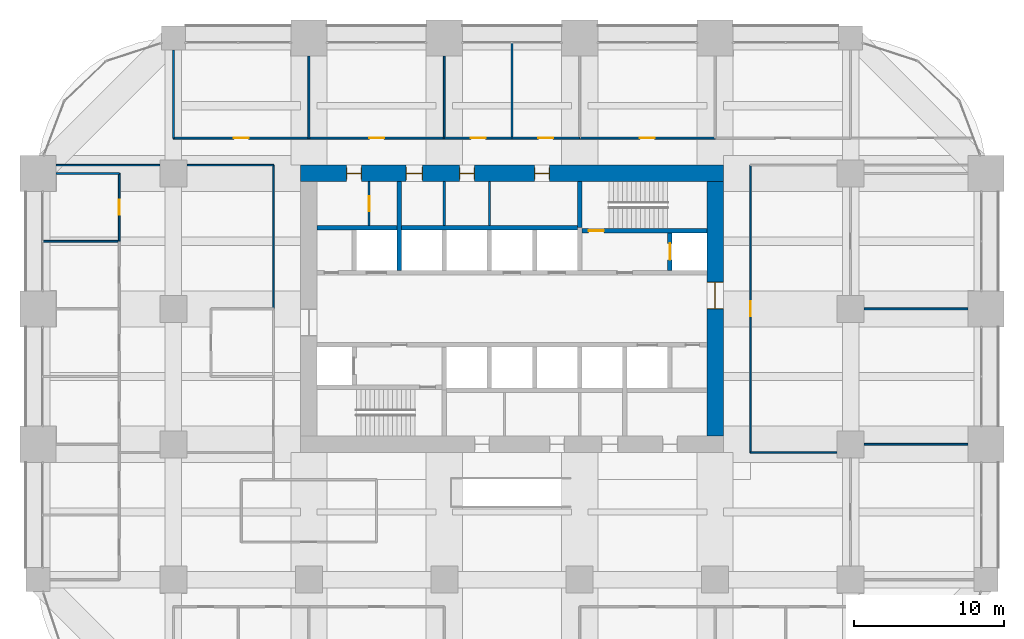
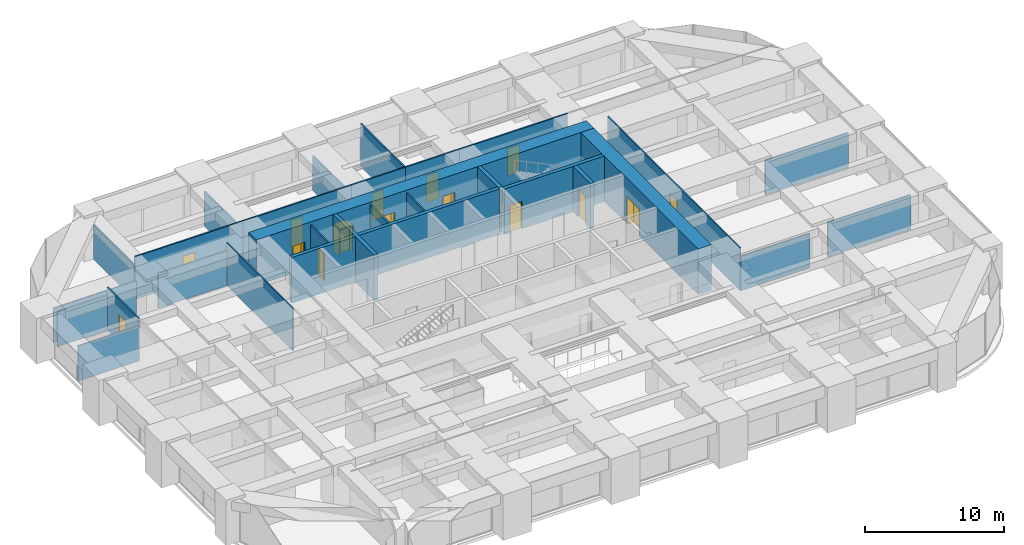
# One storey, part 40 of 43: 29 walls, 15 doors, 15 openings.
"""IFC4 building model written with IfcOpenShell, lengths in metres."""

from ifc_helpers import new_model, si_unit, direction, frame, frame_2d, origin, place, context, subcontext, project, spatial, rectangle, extrude, material, layer, layer_set, type_object, element, fill, save


model = new_model("IFC4")

# Units and contexts
model_context = context("Model", 3, precision=1e-05, world=origin(), true_north=direction((0.0, 1.0)))
body_context = subcontext(model_context, "Body", "Model", "MODEL_VIEW")
ifc_project = project(units=[si_unit("LENGTHUNIT", "METRE"), si_unit("AREAUNIT", "SQUARE_METRE"), si_unit("VOLUMEUNIT", "CUBIC_METRE"), si_unit("PLANEANGLEUNIT", "RADIAN"), si_unit("MASSUNIT", "GRAM", prefix="KILO")], contexts=[model_context])

# Site, building, storey
site_placement = place(None, origin())
site = spatial("IfcSite", under=ifc_project, at=site_placement, CompositionType="ELEMENT")
building_placement = place(site_placement, origin())
building = spatial("IfcBuilding", under=site, at=building_placement, Name="Zorevar Civic Tower", CompositionType="ELEMENT")
storey_placement = place(building_placement, frame((0.0, 0.0, 141.0)))
storey = spatial("IfcBuildingStorey", under=building, at=storey_placement, Name="L34", CompositionType="ELEMENT", Elevation=141.0)

# Wall, openings, doors
ifc_material_1 = material(Name="Concrete C50/60", Category="concrete")
ifc_layer_1 = layer(ifc_material_1, 1.10009765625)
ifc_layer_set_1 = layer_set([ifc_layer_1], Name="Core wall 1100")
wall_type_1 = type_object("IfcWallType", Name="Core wall 1100", PredefinedType="SHEAR", material=ifc_layer_set_1)
wall_1_placement = place(storey_placement, frame((45.550048828125, 36.0, 0.0), z_axis=(0.0, 0.0, 1.0), x_axis=(-1.0, 0.0, 0.0)))
wall_1 = element("IfcWall", 1, at=wall_1_placement, inside=storey, type_object=wall_type_1, Name="Core wall N L34", PredefinedType="SHEAR", context=body_context, shape_type="SweptSolid", body=[
    extrude(rectangle(XDim=28.10009765625, YDim=1.10009765625, at=frame_2d((14.050048828125, 0.0))), origin(), (0.0, 0.0, 1.0), 4.0),
])
opening_1_placement = place(wall_1_placement, frame((11.550048828125, 0.0, 0.0)))
opening_1 = element("IfcOpeningElement", 2, at=opening_1_placement, cuts=wall_1, Name="Opening L34.07", PredefinedType="OPENING", context=body_context, shape_type="SweptSolid", body=[
    extrude(rectangle(XDim=1.0, YDim=2.39990234375, at=frame_2d((0.5, 1.199951171875))), frame((0.0, 0.56005859375, 0.0), z_axis=(0.0, -1.0, 0.0), x_axis=(1.0, 0.0, 0.0)), (0.0, 0.0, 1.0), 1.1201171875),
])
opening_2_placement = place(wall_1_placement, frame((16.550048828125, 0.0, 0.0)))
opening_2 = element("IfcOpeningElement", 3, at=opening_2_placement, cuts=wall_1, Name="Opening L34.08", PredefinedType="OPENING", context=body_context, shape_type="SweptSolid", body=[
    extrude(rectangle(XDim=1.0, YDim=2.39990234375, at=frame_2d((0.5, 1.199951171875))), frame((0.0, 0.56005859375, 0.0), z_axis=(0.0, -1.0, 0.0), x_axis=(1.0, 0.0, 0.0)), (0.0, 0.0, 1.0), 1.1201171875),
])
opening_3_placement = place(wall_1_placement, frame((20.0, 0.0, 0.0)))
opening_3 = element("IfcOpeningElement", 4, at=opening_3_placement, cuts=wall_1, Name="Opening L34.09", PredefinedType="OPENING", context=body_context, shape_type="SweptSolid", body=[
    extrude(rectangle(XDim=1.10009765625, YDim=2.39990234375, at=frame_2d((0.550048828125, 1.199951171875))), frame((0.0, 0.56005859375, 0.0), z_axis=(0.0, -1.0, 0.0), x_axis=(1.0, 0.0, 0.0)), (0.0, 0.0, 1.0), 1.1201171875),
])
opening_4_placement = place(wall_1_placement, frame((24.050048828125, 0.0, 0.0)))
opening_4 = element("IfcOpeningElement", 5, at=opening_4_placement, cuts=wall_1, Name="Opening L34.10", PredefinedType="OPENING", context=body_context, shape_type="SweptSolid", body=[
    extrude(rectangle(XDim=1.0, YDim=2.39990234375, at=frame_2d((0.5, 1.199951171875))), frame((0.0, 0.56005859375, 0.0), z_axis=(0.0, -1.0, 0.0), x_axis=(1.0, 0.0, 0.0)), (0.0, 0.0, 1.0), 1.1201171875),
])
ifc_material_2 = material(Name="Timber door set", Category="wood")
door_type_1 = type_object("IfcDoorType", Name="Door D1 1000x2400", OperationType="SINGLE_SWING_LEFT", PredefinedType="DOOR", material=ifc_material_2)
door_1_placement = place(opening_1_placement, origin())
door_1 = element("IfcDoor", 6, at=door_1_placement, inside=storey, type_object=door_type_1, Name="Door L34 06", OperationType="SINGLE_SWING_LEFT", OverallHeight=2.39990234375, OverallWidth=1.0, PredefinedType="DOOR", context=body_context, shape_type="SweptSolid", body=[
    extrude(rectangle(XDim=1.0, YDim=2.39990234375, at=frame_2d((0.5, 1.199951171875))), frame((0.0, 0.02490234375, 0.0), z_axis=(0.0, -1.0, 0.0), x_axis=(1.0, 0.0, 0.0)), (0.0, 0.0, 1.0), 0.050048828125),
    extrude(rectangle(XDim=0.04, YDim=2.39990234375, at=frame_2d((0.02001953125, 1.199951171875))), frame((0.0, 0.39990234375, 0.0), z_axis=(0.0, -1.0, 0.0), x_axis=(1.0, 0.0, 0.0)), (0.0, 0.0, 1.0), 0.800048828125),
    extrude(rectangle(XDim=0.04, YDim=2.39990234375, at=frame_2d((0.97998046875, 1.199951171875))), frame((0.0, 0.39990234375, 0.0), z_axis=(0.0, -1.0, 0.0), x_axis=(1.0, 0.0, 0.0)), (0.0, 0.0, 1.0), 0.800048828125),
    extrude(rectangle(XDim=1.0, YDim=0.04, at=frame_2d((0.5, 2.3798828125))), frame((0.0, 0.39990234375, 0.0), z_axis=(0.0, -1.0, 0.0), x_axis=(1.0, 0.0, 0.0)), (0.0, 0.0, 1.0), 0.800048828125),
])
fill(opening_1, door_1)
door_2_placement = place(opening_2_placement, origin())
door_2 = element("IfcDoor", 7, at=door_2_placement, inside=storey, type_object=door_type_1, Name="Door L34 07", OperationType="SINGLE_SWING_RIGHT", OverallHeight=2.39990234375, OverallWidth=1.0, PredefinedType="DOOR", context=body_context, shape_type="SweptSolid", body=[
    extrude(rectangle(XDim=1.0, YDim=2.39990234375, at=frame_2d((0.5, 1.199951171875))), frame((0.0, 0.02490234375, 0.0), z_axis=(0.0, -1.0, 0.0), x_axis=(1.0, 0.0, 0.0)), (0.0, 0.0, 1.0), 0.050048828125),
    extrude(rectangle(XDim=0.04, YDim=2.39990234375, at=frame_2d((0.02001953125, 1.199951171875))), frame((0.0, 0.39990234375, 0.0), z_axis=(0.0, -1.0, 0.0), x_axis=(1.0, 0.0, 0.0)), (0.0, 0.0, 1.0), 0.800048828125),
    extrude(rectangle(XDim=0.04, YDim=2.39990234375, at=frame_2d((0.97998046875, 1.199951171875))), frame((0.0, 0.39990234375, 0.0), z_axis=(0.0, -1.0, 0.0), x_axis=(1.0, 0.0, 0.0)), (0.0, 0.0, 1.0), 0.800048828125),
    extrude(rectangle(XDim=1.0, YDim=0.04, at=frame_2d((0.5, 2.3798828125))), frame((0.0, 0.39990234375, 0.0), z_axis=(0.0, -1.0, 0.0), x_axis=(1.0, 0.0, 0.0)), (0.0, 0.0, 1.0), 0.800048828125),
])
fill(opening_2, door_2)
door_3_placement = place(opening_4_placement, origin())
door_3 = element("IfcDoor", 8, at=door_3_placement, inside=storey, type_object=door_type_1, Name="Door L34 09", OperationType="SINGLE_SWING_RIGHT", OverallHeight=2.39990234375, OverallWidth=1.0, PredefinedType="DOOR", context=body_context, shape_type="SweptSolid", body=[
    extrude(rectangle(XDim=1.0, YDim=2.39990234375, at=frame_2d((0.5, 1.199951171875))), frame((0.0, 0.02490234375, 0.0), z_axis=(0.0, -1.0, 0.0), x_axis=(1.0, 0.0, 0.0)), (0.0, 0.0, 1.0), 0.050048828125),
    extrude(rectangle(XDim=0.04, YDim=2.39990234375, at=frame_2d((0.02001953125, 1.199951171875))), frame((0.0, 0.39990234375, 0.0), z_axis=(0.0, -1.0, 0.0), x_axis=(1.0, 0.0, 0.0)), (0.0, 0.0, 1.0), 0.800048828125),
    extrude(rectangle(XDim=0.04, YDim=2.39990234375, at=frame_2d((0.97998046875, 1.199951171875))), frame((0.0, 0.39990234375, 0.0), z_axis=(0.0, -1.0, 0.0), x_axis=(1.0, 0.0, 0.0)), (0.0, 0.0, 1.0), 0.800048828125),
    extrude(rectangle(XDim=1.0, YDim=0.04, at=frame_2d((0.5, 2.3798828125))), frame((0.0, 0.39990234375, 0.0), z_axis=(0.0, -1.0, 0.0), x_axis=(1.0, 0.0, 0.0)), (0.0, 0.0, 1.0), 0.800048828125),
])
fill(opening_4, door_3)
ifc_material_3 = material(Name="Timber door set", Category="wood")
door_type_2 = type_object("IfcDoorType", Name="Door D5 1100x2400", OperationType="SINGLE_SWING_LEFT", PredefinedType="DOOR", material=ifc_material_3)
door_4_placement = place(opening_3_placement, origin())
door_4 = element("IfcDoor", 9, at=door_4_placement, inside=storey, type_object=door_type_2, Name="Door L34 08", OperationType="SINGLE_SWING_RIGHT", OverallHeight=2.39990234375, OverallWidth=1.10009765625, PredefinedType="DOOR", context=body_context, shape_type="SweptSolid", body=[
    extrude(rectangle(XDim=1.10009765625, YDim=2.39990234375, at=frame_2d((0.550048828125, 1.199951171875))), frame((0.0, 0.02490234375, 0.0), z_axis=(0.0, -1.0, 0.0), x_axis=(1.0, 0.0, 0.0)), (0.0, 0.0, 1.0), 0.050048828125),
    extrude(rectangle(XDim=0.04, YDim=2.39990234375, at=frame_2d((0.02001953125, 1.199951171875))), frame((0.0, 0.43994140625, 0.0), z_axis=(0.0, -1.0, 0.0), x_axis=(1.0, 0.0, 0.0)), (0.0, 0.0, 1.0), 0.880126953125),
    extrude(rectangle(XDim=0.04, YDim=2.39990234375, at=frame_2d((1.080078125, 1.199951171875))), frame((0.0, 0.43994140625, 0.0), z_axis=(0.0, -1.0, 0.0), x_axis=(1.0, 0.0, 0.0)), (0.0, 0.0, 1.0), 0.880126953125),
    extrude(rectangle(XDim=1.10009765625, YDim=0.04, at=frame_2d((0.550048828125, 2.3798828125))), frame((0.0, 0.43994140625, 0.0), z_axis=(0.0, -1.0, 0.0), x_axis=(1.0, 0.0, 0.0)), (0.0, 0.0, 1.0), 0.880126953125),
])
fill(opening_3, door_4)

# Wall, opening, door
wall_2_placement = place(storey_placement, frame((45.0, 18.550048828125, 0.0), z_axis=(0.0, 0.0, 1.0), x_axis=(0.0, 1.0, 0.0)))
wall_2 = element("IfcWall", 10, at=wall_2_placement, inside=storey, type_object=wall_type_1, Name="Core wall E L34", PredefinedType="SHEAR", context=body_context, shape_type="SweptSolid", body=[
    extrude(rectangle(XDim=16.89990234375, YDim=1.10009765625, at=frame_2d((8.449951171875, 0.0))), origin(), (0.0, 0.0, 1.0), 4.0),
])
opening_5_placement = place(wall_2_placement, frame((8.449951171875, 0.0, 0.0)))
opening_5 = element("IfcOpeningElement", 11, at=opening_5_placement, cuts=wall_2, Name="Opening L34.02", PredefinedType="OPENING", context=body_context, shape_type="SweptSolid", body=[
    extrude(rectangle(XDim=1.800048828125, YDim=2.39990234375, at=frame_2d((0.89990234375, 1.199951171875))), frame((0.0, 0.56005859375, 0.0), z_axis=(0.0, -1.0, 0.0), x_axis=(1.0, 0.0, 0.0)), (0.0, 0.0, 1.0), 1.1201171875),
])
ifc_material_4 = material(Name="Steel door set", Category="steel")
door_type_3 = type_object("IfcDoorType", Name="Fire door FD2 1800x2400", OperationType="DOUBLE_DOOR_DOUBLE_SWING", PredefinedType="DOOR", material=ifc_material_4)
door_5_placement = place(opening_5_placement, origin())
door_5 = element("IfcDoor", 12, at=door_5_placement, inside=storey, type_object=door_type_3, Name="Door L34 01", OperationType="DOUBLE_DOOR_DOUBLE_SWING", OverallHeight=2.39990234375, OverallWidth=1.800048828125, PredefinedType="DOOR", context=body_context, shape_type="SweptSolid", body=[
    extrude(rectangle(XDim=1.800048828125, YDim=2.39990234375, at=frame_2d((0.89990234375, 1.199951171875))), frame((0.0, 0.030029296875, 0.0), z_axis=(0.0, -1.0, 0.0), x_axis=(1.0, 0.0, 0.0)), (0.0, 0.0, 1.0), 0.06005859375),
    extrude(rectangle(XDim=0.04, YDim=2.39990234375, at=frame_2d((0.02001953125, 1.199951171875))), frame((0.0, 0.5498046875, 0.0), z_axis=(0.0, -1.0, 0.0), x_axis=(1.0, 0.0, 0.0)), (0.0, 0.0, 1.0), 1.099609375),
    extrude(rectangle(XDim=0.04, YDim=2.39990234375, at=frame_2d((1.780029296875, 1.199951171875))), frame((0.0, 0.5498046875, 0.0), z_axis=(0.0, -1.0, 0.0), x_axis=(1.0, 0.0, 0.0)), (0.0, 0.0, 1.0), 1.099609375),
    extrude(rectangle(XDim=1.800048828125, YDim=0.04, at=frame_2d((0.89990234375, 2.3798828125))), frame((0.0, 0.5498046875, 0.0), z_axis=(0.0, -1.0, 0.0), x_axis=(1.0, 0.0, 0.0)), (0.0, 0.0, 1.0), 1.099609375),
])
fill(opening_5, door_5)

# Walls
ifc_material_5 = material(Name="Laminated glass in black aluminium frame", Category="aluminium")
ifc_layer_2 = layer(ifc_material_5, 0.10009765625)
ifc_layer_set_2 = layer_set([ifc_layer_2], Name="Glazed partition 100")
wall_type_2 = type_object("IfcWallType", Name="Glazed partition 100", PredefinedType="PARTITIONING", material=ifc_layer_set_2)
wall_3_placement = place(storey_placement, frame((47.35009765625, 17.449951171875, 0.0), z_axis=(0.0, 0.0, 1.0), x_axis=(1.0, 0.0, 0.0)))
element("IfcWall", 13, at=wall_3_placement, inside=storey, type_object=wall_type_2, Name="Glazed partition 100 L34", PredefinedType="PARTITIONING", context=body_context, shape_type="SweptSolid", body=[
    extrude(rectangle(XDim=5.75, YDim=0.10009765625, at=frame_2d((2.875, 0.0))), origin(), (0.0, 0.0, 1.0), 3.050048828125),
])
wall_4_placement = place(storey_placement, frame((1.199951171875, 36.550048828125, 0.0), z_axis=(0.0, 0.0, 1.0), x_axis=(1.0, 0.0, 0.0)))
element("IfcWall", 14, at=wall_4_placement, inside=storey, type_object=wall_type_2, Name="Glazed partition 100 L34", PredefinedType="PARTITIONING", context=body_context, shape_type="SweptSolid", body=[
    extrude(rectangle(XDim=6.900146484375, YDim=0.10009765625, at=frame_2d((3.4501953125, 0.0))), origin(), (0.0, 0.0, 1.0), 3.050048828125),
])
wall_5_placement = place(storey_placement, frame((9.89990234375, 36.550048828125, 0.0), z_axis=(0.0, 0.0, 1.0), x_axis=(1.0, 0.0, 0.0)))
element("IfcWall", 15, at=wall_5_placement, inside=storey, type_object=wall_type_2, Name="Glazed partition 100 L34", PredefinedType="PARTITIONING", context=body_context, shape_type="SweptSolid", body=[
    extrude(rectangle(XDim=5.75, YDim=0.10009765625, at=frame_2d((2.875, 0.0))), origin(), (0.0, 0.0, 1.0), 3.050048828125),
])
wall_6_placement = place(storey_placement, frame((15.64990234375, 27.0, 0.0), z_axis=(0.0, 0.0, 1.0), x_axis=(0.0, 1.0, 0.0)))
element("IfcWall", 16, at=wall_6_placement, inside=storey, type_object=wall_type_2, Name="Glazed partition 100 L34", PredefinedType="PARTITIONING", context=body_context, shape_type="SweptSolid", body=[
    extrude(rectangle(XDim=9.550048828125, YDim=0.10009765625, at=frame_2d((4.77490234375, 0.0))), origin(), (0.0, 0.0, 1.0), 3.75),
])

# Wall, opening, door
wall_7_placement = place(storey_placement, frame((47.35009765625, 17.449951171875, 0.0), z_axis=(0.0, 0.0, 1.0), x_axis=(0.0, 1.0, 0.0)))
wall_7 = element("IfcWall", 17, at=wall_7_placement, inside=storey, type_object=wall_type_2, Name="Glazed partition 100 L34", PredefinedType="PARTITIONING", context=body_context, shape_type="SweptSolid", body=[
    extrude(rectangle(XDim=19.10009765625, YDim=0.10009765625, at=frame_2d((9.550048828125, 0.0))), origin(), (0.0, 0.0, 1.0), 3.75),
])
opening_6_placement = place(wall_7_placement, frame((9.050048828125, 0.0, 0.0)))
opening_6 = element("IfcOpeningElement", 18, at=opening_6_placement, cuts=wall_7, Name="Opening L34.39", PredefinedType="OPENING", context=body_context, shape_type="SweptSolid", body=[
    extrude(rectangle(XDim=1.0, YDim=2.39990234375, at=frame_2d((0.5, 1.199951171875))), frame((0.0, 0.06005859375, 0.0), z_axis=(0.0, -1.0, 0.0), x_axis=(1.0, 0.0, 0.0)), (0.0, 0.0, 1.0), 0.1201171875),
])
ifc_material_6 = material(Name="Timber door set", Category="wood")
door_type_4 = type_object("IfcDoorType", Name="Glazed door GD1 1000x2400", OperationType="SINGLE_SWING_LEFT", PredefinedType="DOOR", material=ifc_material_6)
door_6_placement = place(opening_6_placement, origin())
door_6 = element("IfcDoor", 19, at=door_6_placement, inside=storey, type_object=door_type_4, Name="Door L34 D1", OperationType="SINGLE_SWING_RIGHT", OverallHeight=2.39990234375, OverallWidth=1.0, PredefinedType="DOOR", context=body_context, shape_type="SweptSolid", body=[
    extrude(rectangle(XDim=1.0, YDim=2.39990234375, at=frame_2d((0.5, 1.199951171875))), frame((0.0, 0.02001953125, 0.0), z_axis=(0.0, -1.0, 0.0), x_axis=(1.0, 0.0, 0.0)), (0.0, 0.0, 1.0), 0.0400390625),
])
fill(opening_6, door_6)

ifc_material_7 = material(Name="Concrete C40/50", Category="concrete")
ifc_layer_3 = layer(ifc_material_7, 0.300048828125)
ifc_layer_set_3 = layer_set([ifc_layer_3], Name="Inner core wall 300")
wall_type_3 = type_object("IfcWallType", Name="Inner core wall 300", PredefinedType="SHEAR", material=ifc_layer_set_3)
wall_8_placement = place(storey_placement, frame((36.14990234375, 32.199951171875, 0.0), z_axis=(0.0, 0.0, 1.0), x_axis=(1.0, 0.0, 0.0)))
wall_8 = element("IfcWall", 20, at=wall_8_placement, inside=storey, type_object=wall_type_3, Name="Inner core wall N00 L34", PredefinedType="SHEAR", context=body_context, shape_type="SweptSolid", body=[
    extrude(rectangle(XDim=8.300048828125, YDim=0.300048828125, at=frame_2d((4.14990234375, 0.0))), origin(), (0.0, 0.0, 1.0), 4.0),
])
opening_7_placement = place(wall_8_placement, frame((0.449951171875, 0.0, 0.0)))
opening_7 = element("IfcOpeningElement", 21, at=opening_7_placement, cuts=wall_8, Name="Opening L34.12", PredefinedType="OPENING", context=body_context, shape_type="SweptSolid", body=[
    extrude(rectangle(XDim=1.0, YDim=2.39990234375, at=frame_2d((0.5, 1.199951171875))), frame((0.0, 0.159912109375, 0.0), z_axis=(0.0, -1.0, 0.0), x_axis=(1.0, 0.0, 0.0)), (0.0, 0.0, 1.0), 0.320068359375),
])
ifc_material_8 = material(Name="Steel door set", Category="steel")
door_type_5 = type_object("IfcDoorType", Name="Fire door FD1 1000x2400", OperationType="SINGLE_SWING_LEFT", PredefinedType="DOOR", material=ifc_material_8)
door_7_placement = place(opening_7_placement, origin())
door_7 = element("IfcDoor", 22, at=door_7_placement, inside=storey, type_object=door_type_5, Name="Door L34 11", OperationType="SINGLE_SWING_RIGHT", OverallHeight=2.39990234375, OverallWidth=1.0, PredefinedType="DOOR", context=body_context, shape_type="SweptSolid", body=[
    extrude(rectangle(XDim=1.0, YDim=2.39990234375, at=frame_2d((0.5, 1.199951171875))), frame((0.0, 0.030029296875, 0.0), z_axis=(0.0, -1.0, 0.0), x_axis=(1.0, 0.0, 0.0)), (0.0, 0.0, 1.0), 0.06005859375),
])
fill(opening_7, door_7)

# Wall
wall_9_placement = place(storey_placement, frame((36.0, 32.39990234375, 0.0), z_axis=(0.0, 0.0, 1.0), x_axis=(0.0, 1.0, 0.0)))
element("IfcWall", 23, at=wall_9_placement, inside=storey, type_object=wall_type_3, Name="Inner core wall N01 L34", PredefinedType="SHEAR", context=body_context, shape_type="SweptSolid", body=[
    extrude(rectangle(XDim=3.050048828125, YDim=0.300048828125, at=frame_2d((1.52490234375, 0.0))), origin(), (0.0, 0.0, 1.0), 4.0),
])

# Wall, opening, door
wall_10_placement = place(storey_placement, frame((42.0, 29.550048828125, 0.0), z_axis=(0.0, 0.0, 1.0), x_axis=(0.0, 1.0, 0.0)))
wall_10 = element("IfcWall", 24, at=wall_10_placement, inside=storey, type_object=wall_type_3, Name="Inner core wall N02 L34", PredefinedType="SHEAR", context=body_context, shape_type="SweptSolid", body=[
    extrude(rectangle(XDim=2.5, YDim=0.300048828125, at=frame_2d((1.25, 0.0))), origin(), (0.0, 0.0, 1.0), 4.0),
])
opening_8_placement = place(wall_10_placement, frame((0.699951171875, 0.0, 0.0)))
opening_8 = element("IfcOpeningElement", 25, at=opening_8_placement, cuts=wall_10, Name="Opening L34.FL2", PredefinedType="OPENING", context=body_context, shape_type="SweptSolid", body=[
    extrude(rectangle(XDim=1.10009765625, YDim=2.39990234375, at=frame_2d((0.550048828125, 1.199951171875))), frame((0.0, 0.159912109375, 0.0), z_axis=(0.0, -1.0, 0.0), x_axis=(1.0, 0.0, 0.0)), (0.0, 0.0, 1.0), 0.320068359375),
])
ifc_material_9 = material(Name="Steel door set", Category="steel")
door_type_6 = type_object("IfcDoorType", Name="Firefighting lift landing door LD3 1100x2400", OperationType="DOUBLE_DOOR_SLIDING", PredefinedType="DOOR", material=ifc_material_9)
door_8_placement = place(opening_8_placement, origin())
door_8 = element("IfcDoor", 26, at=door_8_placement, inside=storey, type_object=door_type_6, Name="Landing door FL2 L34", OperationType="DOUBLE_DOOR_SLIDING", OverallHeight=2.39990234375, OverallWidth=1.10009765625, PredefinedType="DOOR", context=body_context, shape_type="SweptSolid", body=[
    extrude(rectangle(XDim=1.10009765625, YDim=2.39990234375, at=frame_2d((0.550048828125, 1.199951171875))), frame((0.0, 0.030029296875, 0.0), z_axis=(0.0, -1.0, 0.0), x_axis=(1.0, 0.0, 0.0)), (0.0, 0.0, 1.0), 0.06005859375),
])
fill(opening_8, door_8)

# Walls
wall_11_placement = place(storey_placement, frame((18.550048828125, 32.39990234375, 0.0), z_axis=(0.0, 0.0, 1.0), x_axis=(1.0, 0.0, 0.0)))
element("IfcWall", 27, at=wall_11_placement, inside=storey, type_object=wall_type_3, Name="Inner core wall N04 L34", PredefinedType="SHEAR", context=body_context, shape_type="SweptSolid", body=[
    extrude(rectangle(XDim=17.300048828125, YDim=0.300048828125, at=frame_2d((8.64990234375, 0.0))), origin(), (0.0, 0.0, 1.0), 4.0),
])
wall_12_placement = place(storey_placement, frame((24.0, 29.550048828125, 0.0), z_axis=(0.0, 0.0, 1.0), x_axis=(0.0, 1.0, 0.0)))
element("IfcWall", 28, at=wall_12_placement, inside=storey, type_object=wall_type_3, Name="Inner core wall N08 L34", PredefinedType="SHEAR", context=body_context, shape_type="SweptSolid", body=[
    extrude(rectangle(XDim=5.89990234375, YDim=0.300048828125, at=frame_2d((2.949951171875, 0.0))), origin(), (0.0, 0.0, 1.0), 4.0),
])
ifc_material_10 = material(Name="Gypsum board on steel studs", Category="steel")
ifc_layer_4 = layer(ifc_material_10, 0.1201171875)
ifc_layer_set_4 = layer_set([ifc_layer_4], Name="Partition 120")
wall_type_4 = type_object("IfcWallType", Name="Partition 120", PredefinedType="PARTITIONING", material=ifc_layer_set_4)
for number, where, z_axis, x_axis, name in (
    (29, (54.89990234375, 18.0, 0.0), (0.0, 0.0, 1.0), (1.0, 0.0, 0.0), "Partition 120 L34"),
    (30, (54.89990234375, 27.0, 0.0), (0.0, 0.0, 1.0), (1.0, 0.0, 0.0), "Partition 120 L34"),
):
    element("IfcWall", number, at=place(storey_placement, frame(where, z_axis=z_axis, x_axis=x_axis)), inside=storey, type_object=wall_type_4, Name=name, PredefinedType="PARTITIONING", context=body_context, shape_type="SweptSolid", body=[
        extrude(rectangle(XDim=6.900146484375, YDim=0.1201171875, at=frame_2d((3.4501953125, 0.0))), origin(), (0.0, 0.0, 1.0), 3.050048828125),
    ])
wall_13_placement = place(storey_placement, frame((0.31005859375, 31.5, 0.0), z_axis=(0.0, 0.0, 1.0), x_axis=(1.0, 0.0, 0.0)))
element("IfcWall", 31, at=wall_13_placement, inside=storey, type_object=wall_type_4, Name="Partition 120 L34", PredefinedType="PARTITIONING", context=body_context, shape_type="SweptSolid", body=[
    extrude(rectangle(XDim=5.08984375, YDim=0.1201171875, at=frame_2d((2.544921875, 0.0))), origin(), (0.0, 0.0, 1.0), 3.10009765625),
])
wall_14_placement = place(storey_placement, frame((1.199951171875, 36.0, 0.0), z_axis=(0.0, 0.0, 1.0), x_axis=(1.0, 0.0, 0.0)))
element("IfcWall", 32, at=wall_14_placement, inside=storey, type_object=wall_type_4, Name="Partition 120 L34", PredefinedType="PARTITIONING", context=body_context, shape_type="SweptSolid", body=[
    extrude(rectangle(XDim=4.199951171875, YDim=0.1201171875, at=frame_2d((2.10009765625, 0.0))), origin(), (0.0, 0.0, 1.0), 3.050048828125),
])

# Wall, opening, door
wall_15_placement = place(storey_placement, frame((9.0, 38.35009765625, 0.0), z_axis=(0.0, 0.0, 1.0), x_axis=(1.0, 0.0, 0.0)))
wall_15 = element("IfcWall", 33, at=wall_15_placement, inside=storey, type_object=wall_type_4, Name="Partition 120 L34", PredefinedType="PARTITIONING", context=body_context, shape_type="SweptSolid", body=[
    extrude(rectangle(XDim=9.0, YDim=0.1201171875, at=frame_2d((4.5, 0.0))), origin(), (0.0, 0.0, 1.0), 3.75),
])
opening_9_placement = place(wall_15_placement, frame((4.0, 0.0, 0.0)))
opening_9 = element("IfcOpeningElement", 34, at=opening_9_placement, cuts=wall_15, Name="Opening L34.24", PredefinedType="OPENING", context=body_context, shape_type="SweptSolid", body=[
    extrude(rectangle(XDim=1.0, YDim=2.39990234375, at=frame_2d((0.5, 1.199951171875))), frame((0.0, 0.070068359375, 0.0), z_axis=(0.0, -1.0, 0.0), x_axis=(1.0, 0.0, 0.0)), (0.0, 0.0, 1.0), 0.14013671875),
])
door_9_placement = place(opening_9_placement, origin())
door_9 = element("IfcDoor", 35, at=door_9_placement, inside=storey, type_object=door_type_1, Name="Door L34 D1", OperationType="SINGLE_SWING_LEFT", OverallHeight=2.39990234375, OverallWidth=1.0, PredefinedType="DOOR", context=body_context, shape_type="SweptSolid", body=[
    extrude(rectangle(XDim=1.0, YDim=2.39990234375, at=frame_2d((0.5, 1.199951171875))), frame((0.0, 0.02490234375, 0.0), z_axis=(0.0, -1.0, 0.0), x_axis=(1.0, 0.0, 0.0)), (0.0, 0.0, 1.0), 0.050048828125),
])
fill(opening_9, door_9)

wall_16_placement = place(storey_placement, frame((18.0, 38.35009765625, 0.0), z_axis=(0.0, 0.0, 1.0), x_axis=(1.0, 0.0, 0.0)))
wall_16 = element("IfcWall", 36, at=wall_16_placement, inside=storey, type_object=wall_type_4, Name="Partition 120 L34", PredefinedType="PARTITIONING", context=body_context, shape_type="SweptSolid", body=[
    extrude(rectangle(XDim=9.0, YDim=0.1201171875, at=frame_2d((4.5, 0.0))), origin(), (0.0, 0.0, 1.0), 3.75),
])
opening_10_placement = place(wall_16_placement, frame((4.0, 0.0, 0.0)))
opening_10 = element("IfcOpeningElement", 37, at=opening_10_placement, cuts=wall_16, Name="Opening L34.25", PredefinedType="OPENING", context=body_context, shape_type="SweptSolid", body=[
    extrude(rectangle(XDim=1.0, YDim=2.39990234375, at=frame_2d((0.5, 1.199951171875))), frame((0.0, 0.070068359375, 0.0), z_axis=(0.0, -1.0, 0.0), x_axis=(1.0, 0.0, 0.0)), (0.0, 0.0, 1.0), 0.14013671875),
])
door_10_placement = place(opening_10_placement, origin())
door_10 = element("IfcDoor", 38, at=door_10_placement, inside=storey, type_object=door_type_1, Name="Door L34 D1", OperationType="SINGLE_SWING_LEFT", OverallHeight=2.39990234375, OverallWidth=1.0, PredefinedType="DOOR", context=body_context, shape_type="SweptSolid", body=[
    extrude(rectangle(XDim=1.0, YDim=2.39990234375, at=frame_2d((0.5, 1.199951171875))), frame((0.0, 0.02490234375, 0.0), z_axis=(0.0, -1.0, 0.0), x_axis=(1.0, 0.0, 0.0)), (0.0, 0.0, 1.0), 0.050048828125),
])
fill(opening_10, door_10)

wall_17_placement = place(storey_placement, frame((27.0, 38.35009765625, 0.0), z_axis=(0.0, 0.0, 1.0), x_axis=(1.0, 0.0, 0.0)))
wall_17 = element("IfcWall", 39, at=wall_17_placement, inside=storey, type_object=wall_type_4, Name="Partition 120 L34", PredefinedType="PARTITIONING", context=body_context, shape_type="SweptSolid", body=[
    extrude(rectangle(XDim=4.5, YDim=0.1201171875, at=frame_2d((2.25, 0.0))), origin(), (0.0, 0.0, 1.0), 3.75),
])
opening_11_placement = place(wall_17_placement, frame((1.75, 0.0, 0.0)))
opening_11 = element("IfcOpeningElement", 40, at=opening_11_placement, cuts=wall_17, Name="Opening L34.26", PredefinedType="OPENING", context=body_context, shape_type="SweptSolid", body=[
    extrude(rectangle(XDim=1.0, YDim=2.39990234375, at=frame_2d((0.5, 1.199951171875))), frame((0.0, 0.070068359375, 0.0), z_axis=(0.0, -1.0, 0.0), x_axis=(1.0, 0.0, 0.0)), (0.0, 0.0, 1.0), 0.14013671875),
])
door_11_placement = place(opening_11_placement, origin())
door_11 = element("IfcDoor", 41, at=door_11_placement, inside=storey, type_object=door_type_1, Name="Door L34 D1", OperationType="SINGLE_SWING_LEFT", OverallHeight=2.39990234375, OverallWidth=1.0, PredefinedType="DOOR", context=body_context, shape_type="SweptSolid", body=[
    extrude(rectangle(XDim=1.0, YDim=2.39990234375, at=frame_2d((0.5, 1.199951171875))), frame((0.0, 0.02490234375, 0.0), z_axis=(0.0, -1.0, 0.0), x_axis=(1.0, 0.0, 0.0)), (0.0, 0.0, 1.0), 0.050048828125),
])
fill(opening_11, door_11)

wall_18_placement = place(storey_placement, frame((31.5, 38.35009765625, 0.0), z_axis=(0.0, 0.0, 1.0), x_axis=(1.0, 0.0, 0.0)))
wall_18 = element("IfcWall", 42, at=wall_18_placement, inside=storey, type_object=wall_type_4, Name="Partition 120 L34", PredefinedType="PARTITIONING", context=body_context, shape_type="SweptSolid", body=[
    extrude(rectangle(XDim=4.5, YDim=0.1201171875, at=frame_2d((2.25, 0.0))), origin(), (0.0, 0.0, 1.0), 3.75),
])
opening_12_placement = place(wall_18_placement, frame((1.75, 0.0, 0.0)))
opening_12 = element("IfcOpeningElement", 43, at=opening_12_placement, cuts=wall_18, Name="Opening L34.27", PredefinedType="OPENING", context=body_context, shape_type="SweptSolid", body=[
    extrude(rectangle(XDim=1.0, YDim=2.39990234375, at=frame_2d((0.5, 1.199951171875))), frame((0.0, 0.070068359375, 0.0), z_axis=(0.0, -1.0, 0.0), x_axis=(1.0, 0.0, 0.0)), (0.0, 0.0, 1.0), 0.14013671875),
])
door_12_placement = place(opening_12_placement, origin())
door_12 = element("IfcDoor", 44, at=door_12_placement, inside=storey, type_object=door_type_1, Name="Door L34 D1", OperationType="SINGLE_SWING_RIGHT", OverallHeight=2.39990234375, OverallWidth=1.0, PredefinedType="DOOR", context=body_context, shape_type="SweptSolid", body=[
    extrude(rectangle(XDim=1.0, YDim=2.39990234375, at=frame_2d((0.5, 1.199951171875))), frame((0.0, 0.02490234375, 0.0), z_axis=(0.0, -1.0, 0.0), x_axis=(1.0, 0.0, 0.0)), (0.0, 0.0, 1.0), 0.050048828125),
])
fill(opening_12, door_12)

wall_19_placement = place(storey_placement, frame((36.0, 38.35009765625, 0.0), z_axis=(0.0, 0.0, 1.0), x_axis=(1.0, 0.0, 0.0)))
wall_19 = element("IfcWall", 45, at=wall_19_placement, inside=storey, type_object=wall_type_4, Name="Partition 120 L34", PredefinedType="PARTITIONING", context=body_context, shape_type="SweptSolid", body=[
    extrude(rectangle(XDim=9.0, YDim=0.1201171875, at=frame_2d((4.5, 0.0))), origin(), (0.0, 0.0, 1.0), 3.75),
])
opening_13_placement = place(wall_19_placement, frame((4.0, 0.0, 0.0)))
opening_13 = element("IfcOpeningElement", 46, at=opening_13_placement, cuts=wall_19, Name="Opening L34.28", PredefinedType="OPENING", context=body_context, shape_type="SweptSolid", body=[
    extrude(rectangle(XDim=1.0, YDim=2.39990234375, at=frame_2d((0.5, 1.199951171875))), frame((0.0, 0.070068359375, 0.0), z_axis=(0.0, -1.0, 0.0), x_axis=(1.0, 0.0, 0.0)), (0.0, 0.0, 1.0), 0.14013671875),
])
door_13_placement = place(opening_13_placement, origin())
door_13 = element("IfcDoor", 47, at=door_13_placement, inside=storey, type_object=door_type_1, Name="Door L34 D1", OperationType="SINGLE_SWING_RIGHT", OverallHeight=2.39990234375, OverallWidth=1.0, PredefinedType="DOOR", context=body_context, shape_type="SweptSolid", body=[
    extrude(rectangle(XDim=1.0, YDim=2.39990234375, at=frame_2d((0.5, 1.199951171875))), frame((0.0, 0.02490234375, 0.0), z_axis=(0.0, -1.0, 0.0), x_axis=(1.0, 0.0, 0.0)), (0.0, 0.0, 1.0), 0.050048828125),
])
fill(opening_13, door_13)

wall_20_placement = place(storey_placement, frame((5.39990234375, 31.5, 0.0), z_axis=(0.0, 0.0, 1.0), x_axis=(0.0, 1.0, 0.0)))
wall_20 = element("IfcWall", 48, at=wall_20_placement, inside=storey, type_object=wall_type_4, Name="Partition 120 L34", PredefinedType="PARTITIONING", context=body_context, shape_type="SweptSolid", body=[
    extrude(rectangle(XDim=4.5, YDim=0.1201171875, at=frame_2d((2.25, 0.0))), origin(), (0.0, 0.0, 1.0), 3.75),
])
opening_14_placement = place(wall_20_placement, frame((1.75, 0.0, 0.0)))
opening_14 = element("IfcOpeningElement", 49, at=opening_14_placement, cuts=wall_20, Name="Opening L34.36", PredefinedType="OPENING", context=body_context, shape_type="SweptSolid", body=[
    extrude(rectangle(XDim=1.0, YDim=2.39990234375, at=frame_2d((0.5, 1.199951171875))), frame((0.0, 0.070068359375, 0.0), z_axis=(0.0, -1.0, 0.0), x_axis=(1.0, 0.0, 0.0)), (0.0, 0.0, 1.0), 0.14013671875),
])
door_14_placement = place(opening_14_placement, origin())
door_14 = element("IfcDoor", 50, at=door_14_placement, inside=storey, type_object=door_type_1, Name="Door L34 D1", OperationType="SINGLE_SWING_RIGHT", OverallHeight=2.39990234375, OverallWidth=1.0, PredefinedType="DOOR", context=body_context, shape_type="SweptSolid", body=[
    extrude(rectangle(XDim=1.0, YDim=2.39990234375, at=frame_2d((0.5, 1.199951171875))), frame((0.0, 0.02490234375, 0.0), z_axis=(0.0, -1.0, 0.0), x_axis=(1.0, 0.0, 0.0)), (0.0, 0.0, 1.0), 0.050048828125),
])
fill(opening_14, door_14)

# Walls
wall_21_placement = place(storey_placement, frame((9.0, 38.35009765625, 0.0), z_axis=(0.0, 0.0, 1.0), x_axis=(0.0, 1.0, 0.0)))
element("IfcWall", 51, at=wall_21_placement, inside=storey, type_object=wall_type_4, Name="Partition 120 L34", PredefinedType="PARTITIONING", context=body_context, shape_type="SweptSolid", body=[
    extrude(rectangle(XDim=5.849853515625, YDim=0.1201171875, at=frame_2d((2.9248046875, 0.0))), origin(), (0.0, 0.0, 1.0), 3.050048828125),
])
for number, where, z_axis, x_axis, name in (
    (52, (18.0, 38.35009765625, 0.0), (0.0, 0.0, 1.0), (0.0, 1.0, 0.0), "Partition 120 L34"),
    (53, (27.0, 38.35009765625, 0.0), (0.0, 0.0, 1.0), (0.0, 1.0, 0.0), "Partition 120 L34"),
):
    element("IfcWall", number, at=place(storey_placement, frame(where, z_axis=z_axis, x_axis=x_axis)), inside=storey, type_object=wall_type_4, Name=name, PredefinedType="PARTITIONING", context=body_context, shape_type="SweptSolid", body=[
        extrude(rectangle(XDim=5.449951171875, YDim=0.1201171875, at=frame_2d((2.72509765625, 0.0))), origin(), (0.0, 0.0, 1.0), 3.050048828125),
    ])
wall_22_placement = place(storey_placement, frame((31.5, 38.35009765625, 0.0), z_axis=(0.0, 0.0, 1.0), x_axis=(0.0, 1.0, 0.0)))
element("IfcWall", 54, at=wall_22_placement, inside=storey, type_object=wall_type_4, Name="Partition 120 L34", PredefinedType="PARTITIONING", context=body_context, shape_type="SweptSolid", body=[
    extrude(rectangle(XDim=6.33984375, YDim=0.1201171875, at=frame_2d((3.169921875, 0.0))), origin(), (0.0, 0.0, 1.0), 3.75),
])
wall_23_placement = place(storey_placement, frame((30.0, 32.550048828125, 0.0), z_axis=(0.0, 0.0, 1.0), x_axis=(0.0, 1.0, 0.0)))
element("IfcWall", 55, at=wall_23_placement, inside=storey, type_object=wall_type_4, Name="Partition L34", PredefinedType="PARTITIONING", context=body_context, shape_type="SweptSolid", body=[
    extrude(rectangle(XDim=2.89990234375, YDim=0.1201171875, at=frame_2d((1.449951171875, 0.0))), origin(), (0.0, 0.0, 1.0), 3.75),
])

# Wall, opening, door
wall_24_placement = place(storey_placement, frame((22.0, 32.550048828125, 0.0), z_axis=(0.0, 0.0, 1.0), x_axis=(0.0, 1.0, 0.0)))
wall_24 = element("IfcWall", 56, at=wall_24_placement, inside=storey, type_object=wall_type_4, Name="Partition L34", PredefinedType="PARTITIONING", context=body_context, shape_type="SweptSolid", body=[
    extrude(rectangle(XDim=2.89990234375, YDim=0.1201171875, at=frame_2d((1.449951171875, 0.0))), origin(), (0.0, 0.0, 1.0), 3.75),
])
opening_15_placement = place(wall_24_placement, frame((0.949951171875, 0.0, 0.0)))
opening_15 = element("IfcOpeningElement", 57, at=opening_15_placement, cuts=wall_24, Name="Opening L34.42", PredefinedType="OPENING", context=body_context, shape_type="SweptSolid", body=[
    extrude(rectangle(XDim=1.0, YDim=2.39990234375, at=frame_2d((0.5, 1.199951171875))), frame((0.0, 0.070068359375, 0.0), z_axis=(0.0, -1.0, 0.0), x_axis=(1.0, 0.0, 0.0)), (0.0, 0.0, 1.0), 0.14013671875),
])
door_15_placement = place(opening_15_placement, origin())
door_15 = element("IfcDoor", 58, at=door_15_placement, inside=storey, type_object=door_type_5, Name="Door L34 EN", OperationType="SINGLE_SWING_RIGHT", OverallHeight=2.39990234375, OverallWidth=1.0, PredefinedType="DOOR", context=body_context, shape_type="SweptSolid", body=[
    extrude(rectangle(XDim=1.0, YDim=2.39990234375, at=frame_2d((0.5, 1.199951171875))), frame((0.0, 0.030029296875, 0.0), z_axis=(0.0, -1.0, 0.0), x_axis=(1.0, 0.0, 0.0)), (0.0, 0.0, 1.0), 0.06005859375),
])
fill(opening_15, door_15)

# Wall
ifc_material_11 = material(Name="Gypsum board on steel studs, moisture resistant", Category="steel")
ifc_layer_5 = layer(ifc_material_11, 0.14990234375)
ifc_layer_set_5 = layer_set([ifc_layer_5], Name="WC partition 150")
wall_type_5 = type_object("IfcWallType", Name="WC partition 150", PredefinedType="PARTITIONING", material=ifc_layer_set_5)
wall_25_placement = place(storey_placement, frame((27.0, 32.550048828125, 0.0), z_axis=(0.0, 0.0, 1.0), x_axis=(0.0, 1.0, 0.0)))
element("IfcWall", 59, at=wall_25_placement, inside=storey, type_object=wall_type_5, Name="WC partition L34", PredefinedType="PARTITIONING", context=body_context, shape_type="SweptSolid", body=[
    extrude(rectangle(XDim=2.89990234375, YDim=0.14990234375, at=frame_2d((1.449951171875, 0.0))), origin(), (0.0, 0.0, 1.0), 3.75),
])

save(model, "model.ifc")
